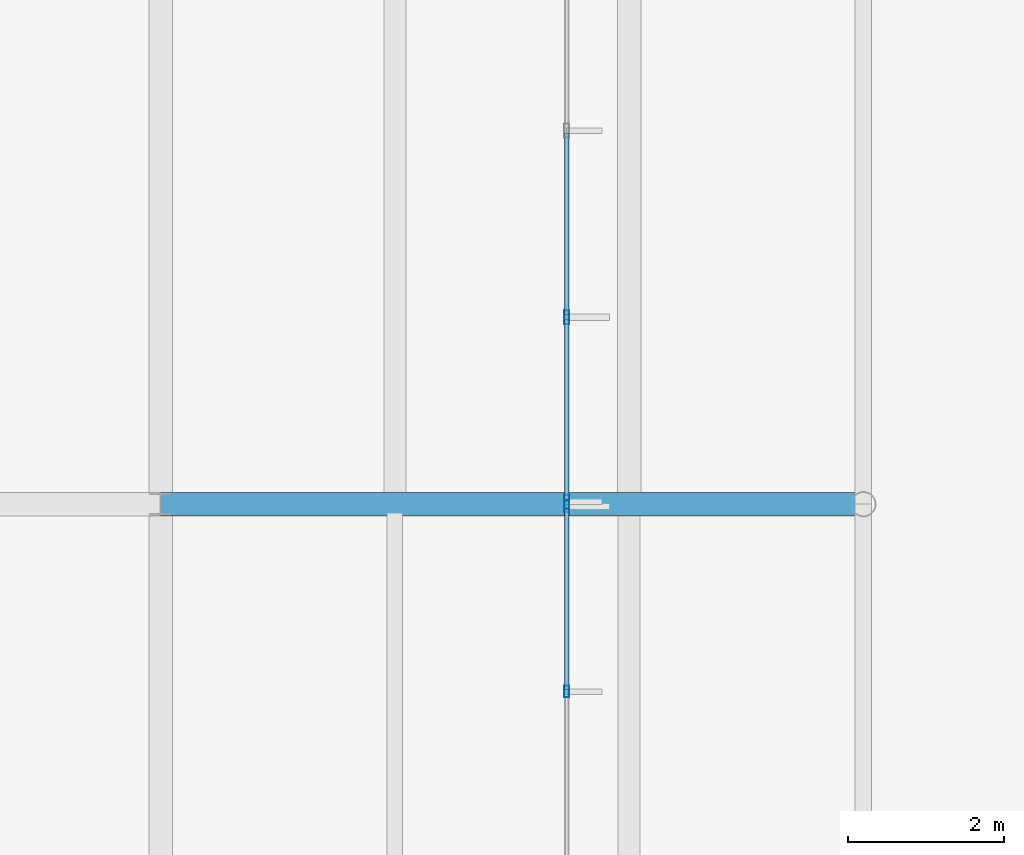
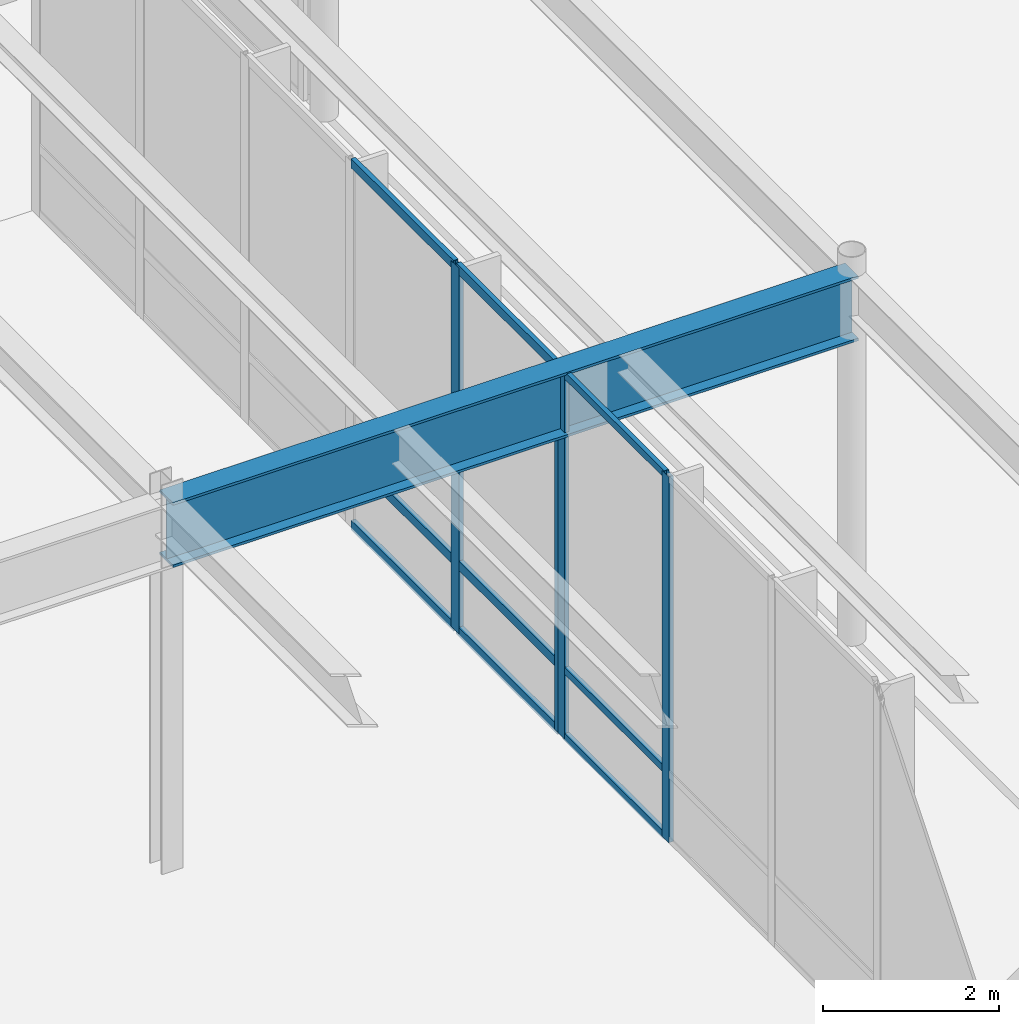
# One storey, part 68 of 143: 13 members, 1 beam, 2 elements without a shape of their own.
"""IFC4 building model written with IfcOpenShell, lengths in metres."""

from ifc_helpers import new_model, si_unit, direction, frame, origin, origin_2d, place, context, subcontext, project, spatial, hollow_rectangle, i_section, extrude, material, layer, layer_set, material_profile, profile_set, type_object, element, aggregate, save


model = new_model("IFC4")

# Units and contexts
model_context = context("Model", 3, precision=1e-05, world=origin(), true_north=direction((0.0, 1.0)))
body_context = subcontext(model_context, "Body", "Model", "MODEL_VIEW")
ifc_project = project(units=[si_unit("LENGTHUNIT", "METRE"), si_unit("AREAUNIT", "SQUARE_METRE"), si_unit("VOLUMEUNIT", "CUBIC_METRE"), si_unit("PLANEANGLEUNIT", "RADIAN"), si_unit("MASSUNIT", "GRAM", prefix="KILO")], contexts=[model_context])

# Site, building, storey
site_placement = place(None, origin())
site = spatial("IfcSite", under=ifc_project, at=site_placement, CompositionType="ELEMENT")
building_placement = place(site_placement, origin())
building = spatial("IfcBuilding", under=site, at=building_placement, Name="Montelvaro Courts of Justice", CompositionType="ELEMENT")
storey_placement = place(building_placement, origin())
storey = spatial("IfcBuildingStorey", under=building, at=storey_placement, Name="L00", CompositionType="ELEMENT", Elevation=0.0)

# Beam
ifc_material_1 = material(Name="Steel S355", Category="steel")
ifc_material_profile_1 = material_profile(ifc_material_1, i_section(OverallWidth=0.300048828125, OverallDepth=0.89990234375, WebThickness=0.0185546875, FlangeThickness=0.034912109375, at=origin_2d()), Name="HEB 900")
ifc_profile_set_1 = profile_set([ifc_material_profile_1], Name="Steel S355")
beam_type = type_object("IfcBeamType", Name="Beam_HEB900", PredefinedType="USERDEFINED", material=ifc_profile_set_1)
beam_placement = place(storey_placement, frame((72.0, 66.0, 4.669921875), z_axis=(1.0, 0.0, 0.0), x_axis=(0.0, 1.0, 0.0)))
element("IfcBeam", 1, at=beam_placement, inside=storey, type_object=beam_type, Name="Beam B-30 L00", ObjectType="GIRDER", PredefinedType="USERDEFINED", context=body_context, shape_type="SweptSolid", body=[
    extrude(i_section(OverallWidth=0.300048828125, OverallDepth=0.89990234375, WebThickness=0.0185546875, FlangeThickness=0.034912109375, at=origin_2d()), origin(), (0.0, 0.0, 1.0), 9.0),
])

# Curtain wall, members
ifc_material_2 = material(Name="Anodised aluminium EN AW-6063", Category="aluminium")
ifc_layer_1 = layer(ifc_material_2, 0.159912109375)
ifc_layer_set_1 = layer_set([ifc_layer_1], Name="Anodised aluminium EN AW-6063")
curtain_wall_type_1 = type_object("IfcCurtainWallType", Name="CurtainWall_06_1200x508", PredefinedType="USERDEFINED", material=ifc_layer_set_1)
curtain_wall_1_placement = place(storey_placement, origin())
curtain_wall_1 = element("IfcCurtainWall", 2, at=curtain_wall_1_placement, inside=storey, type_object=curtain_wall_type_1, Name="Curtain Wall CW-06 (L00)", ObjectType="CURTAIN WALL", PredefinedType="USERDEFINED")
ifc_material_profile_2 = material_profile(ifc_material_2, hollow_rectangle(XDim=0.06005859375, YDim=0.14990234375, WallThickness=0.00390625, at=origin_2d()), Name="ALU-M 60x150")
ifc_profile_set_2 = profile_set([ifc_material_profile_2], Name="Anodised aluminium EN AW-6063")
member_type_1 = type_object("IfcMemberType", Name="CurtainWall_Mullion_60x150", PredefinedType="MULLION", material=ifc_profile_set_2)
member_1_placement = place(storey_placement, frame((77.199951171875, 63.60009765625, 0.0), z_axis=(0.0, 0.0, 1.0), x_axis=(-1.0, 0.0, 0.0)))
member_1 = element("IfcMember", 3, at=member_1_placement, type_object=member_type_1, Name="CW-06 mullion 5", PredefinedType="MULLION", context=body_context, shape_type="SweptSolid", body=[
    extrude(hollow_rectangle(XDim=0.06005859375, YDim=0.14990234375, WallThickness=0.00390625, at=origin_2d()), origin(), (0.0, 0.0, 1.0), 5.080078125),
])
member_2_placement = place(storey_placement, frame((77.199951171875, 65.969970703125, 0.0), z_axis=(0.0, 0.0, 1.0), x_axis=(-1.0, 0.0, 0.0)))
member_2 = element("IfcMember", 4, at=member_2_placement, type_object=member_type_1, Name="CW-06 mullion 6", PredefinedType="MULLION", context=body_context, shape_type="SweptSolid", body=[
    extrude(hollow_rectangle(XDim=0.06005859375, YDim=0.14990234375, WallThickness=0.00390625, at=origin_2d()), origin(), (0.0, 0.0, 1.0), 5.080078125),
])

ifc_layer_2 = layer(ifc_material_2, 0.159912109375)
ifc_layer_set_2 = layer_set([ifc_layer_2], Name="Anodised aluminium EN AW-6063")
curtain_wall_type_2 = type_object("IfcCurtainWallType", Name="CurtainWall_07_1196x508", PredefinedType="USERDEFINED", material=ifc_layer_set_2)
curtain_wall_2_placement = place(storey_placement, origin())
curtain_wall_2 = element("IfcCurtainWall", 5, at=curtain_wall_2_placement, inside=storey, type_object=curtain_wall_type_2, Name="Curtain Wall CW-07 (L00)", ObjectType="CURTAIN WALL", PredefinedType="USERDEFINED")
ifc_material_profile_3 = material_profile(ifc_material_2, hollow_rectangle(XDim=0.06005859375, YDim=0.179931640625, WallThickness=0.00439453125, at=origin_2d()), Name="ALU-M 60x180")
ifc_profile_set_3 = profile_set([ifc_material_profile_3], Name="Anodised aluminium EN AW-6063")
member_type_2 = type_object("IfcMemberType", Name="CurtainWall_Mullion_60x180", PredefinedType="MULLION", material=ifc_profile_set_3)
member_3_placement = place(storey_placement, frame((77.199951171875, 66.030029296875, 0.0), z_axis=(0.0, 0.0, 1.0), x_axis=(-1.0, 0.0, 0.0)))
member_3 = element("IfcMember", 6, at=member_3_placement, type_object=member_type_2, Name="CW-07 mullion 1", PredefinedType="MULLION", context=body_context, shape_type="SweptSolid", body=[
    extrude(hollow_rectangle(XDim=0.06005859375, YDim=0.179931640625, WallThickness=0.00439453125, at=origin_2d()), origin(), (0.0, 0.0, 1.0), 5.080078125),
])
member_4_placement = place(storey_placement, frame((77.199951171875, 68.39208984375, 0.0), z_axis=(0.0, 0.0, 1.0), x_axis=(-1.0, 0.0, 0.0)))
member_4 = element("IfcMember", 7, at=member_4_placement, type_object=member_type_2, Name="CW-07 mullion 2", PredefinedType="MULLION", context=body_context, shape_type="SweptSolid", body=[
    extrude(hollow_rectangle(XDim=0.06005859375, YDim=0.179931640625, WallThickness=0.00439453125, at=origin_2d()), origin(), (0.0, 0.0, 1.0), 5.080078125),
])

# Member
ifc_material_profile_4 = material_profile(ifc_material_2, hollow_rectangle(XDim=0.06005859375, YDim=0.10009765625, WallThickness=0.00341796875, at=origin_2d()), Name="ALU-T 60x100")
ifc_profile_set_4 = profile_set([ifc_material_profile_4], Name="Anodised aluminium EN AW-6063")
member_type_3 = type_object("IfcMemberType", Name="CurtainWall_Transom_60x100", PredefinedType="USERDEFINED", material=ifc_profile_set_4)
member_5_placement = place(storey_placement, frame((77.199951171875, 63.6298828125, 0.030029296875), z_axis=(0.0, 1.0, 0.0), x_axis=(-1.0, 0.0, 0.0)))
member_5 = element("IfcMember", 8, at=member_5_placement, type_object=member_type_3, Name="CW-06 transom 5.1", ObjectType="TRANSOM", PredefinedType="USERDEFINED", context=body_context, shape_type="SweptSolid", body=[
    extrude(hollow_rectangle(XDim=0.06005859375, YDim=0.10009765625, WallThickness=0.00341796875, at=origin_2d()), origin(), (0.0, 0.0, 1.0), 2.31005859375),
])

member_6_placement = place(storey_placement, frame((77.199951171875, 63.6298828125, 0.949951171875), z_axis=(0.0, 1.0, 0.0), x_axis=(-1.0, 0.0, 0.0)))
member_6 = element("IfcMember", 9, at=member_6_placement, type_object=member_type_3, Name="CW-06 transom 5.2", ObjectType="TRANSOM", PredefinedType="USERDEFINED", context=body_context, shape_type="SweptSolid", body=[
    extrude(hollow_rectangle(XDim=0.06005859375, YDim=0.10009765625, WallThickness=0.00341796875, at=origin_2d()), origin(), (0.0, 0.0, 1.0), 2.31005859375),
])

member_7_placement = place(storey_placement, frame((77.199951171875, 63.6298828125, 5.050048828125), z_axis=(0.0, 1.0, 0.0), x_axis=(-1.0, 0.0, 0.0)))
member_7 = element("IfcMember", 10, at=member_7_placement, type_object=member_type_3, Name="CW-06 transom 5.3", ObjectType="TRANSOM", PredefinedType="USERDEFINED", context=body_context, shape_type="SweptSolid", body=[
    extrude(hollow_rectangle(XDim=0.06005859375, YDim=0.10009765625, WallThickness=0.00341796875, at=origin_2d()), origin(), (0.0, 0.0, 1.0), 2.31005859375),
])

aggregate(curtain_wall_1, [member_1, member_2, member_5, member_6, member_7])

ifc_material_profile_5 = material_profile(ifc_material_2, hollow_rectangle(XDim=0.06005859375, YDim=0.1298828125, WallThickness=0.00390625, at=origin_2d()), Name="ALU-T 60x130")
ifc_profile_set_5 = profile_set([ifc_material_profile_5], Name="Anodised aluminium EN AW-6063")
member_type_4 = type_object("IfcMemberType", Name="CurtainWall_Transom_60x130", PredefinedType="USERDEFINED", material=ifc_profile_set_5)
member_8_placement = place(storey_placement, frame((77.199951171875, 66.06005859375, 0.030029296875), z_axis=(0.0, 1.0, 0.0), x_axis=(-1.0, 0.0, 0.0)))
member_8 = element("IfcMember", 11, at=member_8_placement, type_object=member_type_4, Name="CW-07 transom 1.1", ObjectType="TRANSOM", PredefinedType="USERDEFINED", context=body_context, shape_type="SweptSolid", body=[
    extrude(hollow_rectangle(XDim=0.06005859375, YDim=0.1298828125, WallThickness=0.00390625, at=origin_2d()), origin(), (0.0, 0.0, 1.0), 2.302001953125),
])

member_9_placement = place(storey_placement, frame((77.199951171875, 66.06005859375, 0.949951171875), z_axis=(0.0, 1.0, 0.0), x_axis=(-1.0, 0.0, 0.0)))
member_9 = element("IfcMember", 12, at=member_9_placement, type_object=member_type_4, Name="CW-07 transom 1.2", ObjectType="TRANSOM", PredefinedType="USERDEFINED", context=body_context, shape_type="SweptSolid", body=[
    extrude(hollow_rectangle(XDim=0.06005859375, YDim=0.1298828125, WallThickness=0.00390625, at=origin_2d()), origin(), (0.0, 0.0, 1.0), 2.302001953125),
])

member_10_placement = place(storey_placement, frame((77.199951171875, 66.06005859375, 5.050048828125), z_axis=(0.0, 1.0, 0.0), x_axis=(-1.0, 0.0, 0.0)))
member_10 = element("IfcMember", 13, at=member_10_placement, type_object=member_type_4, Name="CW-07 transom 1.3", ObjectType="TRANSOM", PredefinedType="USERDEFINED", context=body_context, shape_type="SweptSolid", body=[
    extrude(hollow_rectangle(XDim=0.06005859375, YDim=0.1298828125, WallThickness=0.00390625, at=origin_2d()), origin(), (0.0, 0.0, 1.0), 2.302001953125),
])

member_11_placement = place(storey_placement, frame((77.199951171875, 68.422119140625, 0.030029296875), z_axis=(0.0, 1.0, 0.0), x_axis=(-1.0, 0.0, 0.0)))
member_11 = element("IfcMember", 14, at=member_11_placement, type_object=member_type_4, Name="CW-07 transom 2.1", ObjectType="TRANSOM", PredefinedType="USERDEFINED", context=body_context, shape_type="SweptSolid", body=[
    extrude(hollow_rectangle(XDim=0.06005859375, YDim=0.1298828125, WallThickness=0.00390625, at=origin_2d()), origin(), (0.0, 0.0, 1.0), 2.331787109375),
])

member_12_placement = place(storey_placement, frame((77.199951171875, 68.422119140625, 0.949951171875), z_axis=(0.0, 1.0, 0.0), x_axis=(-1.0, 0.0, 0.0)))
member_12 = element("IfcMember", 15, at=member_12_placement, type_object=member_type_4, Name="CW-07 transom 2.2", ObjectType="TRANSOM", PredefinedType="USERDEFINED", context=body_context, shape_type="SweptSolid", body=[
    extrude(hollow_rectangle(XDim=0.06005859375, YDim=0.1298828125, WallThickness=0.00390625, at=origin_2d()), origin(), (0.0, 0.0, 1.0), 2.331787109375),
])

member_13_placement = place(storey_placement, frame((77.199951171875, 68.422119140625, 5.050048828125), z_axis=(0.0, 1.0, 0.0), x_axis=(-1.0, 0.0, 0.0)))
member_13 = element("IfcMember", 16, at=member_13_placement, type_object=member_type_4, Name="CW-07 transom 2.3", ObjectType="TRANSOM", PredefinedType="USERDEFINED", context=body_context, shape_type="SweptSolid", body=[
    extrude(hollow_rectangle(XDim=0.06005859375, YDim=0.1298828125, WallThickness=0.00390625, at=origin_2d()), origin(), (0.0, 0.0, 1.0), 2.331787109375),
])

aggregate(curtain_wall_2, [member_3, member_4, member_8, member_9, member_10, member_11, member_12, member_13])

save(model, "model.ifc")
